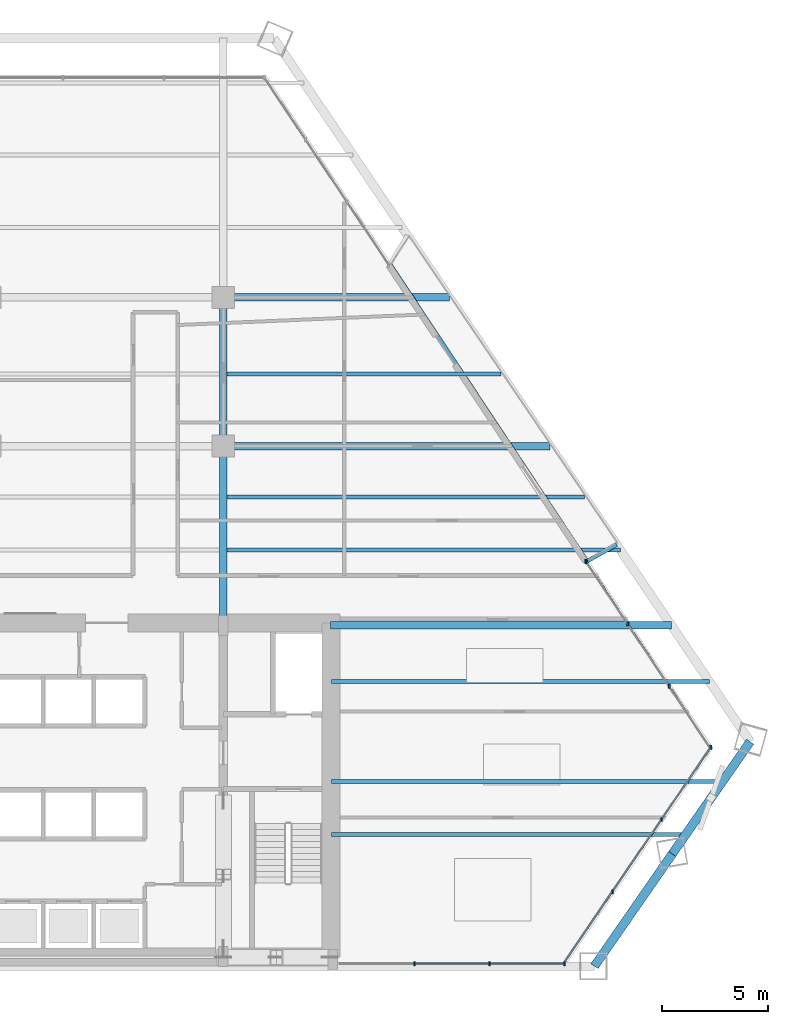
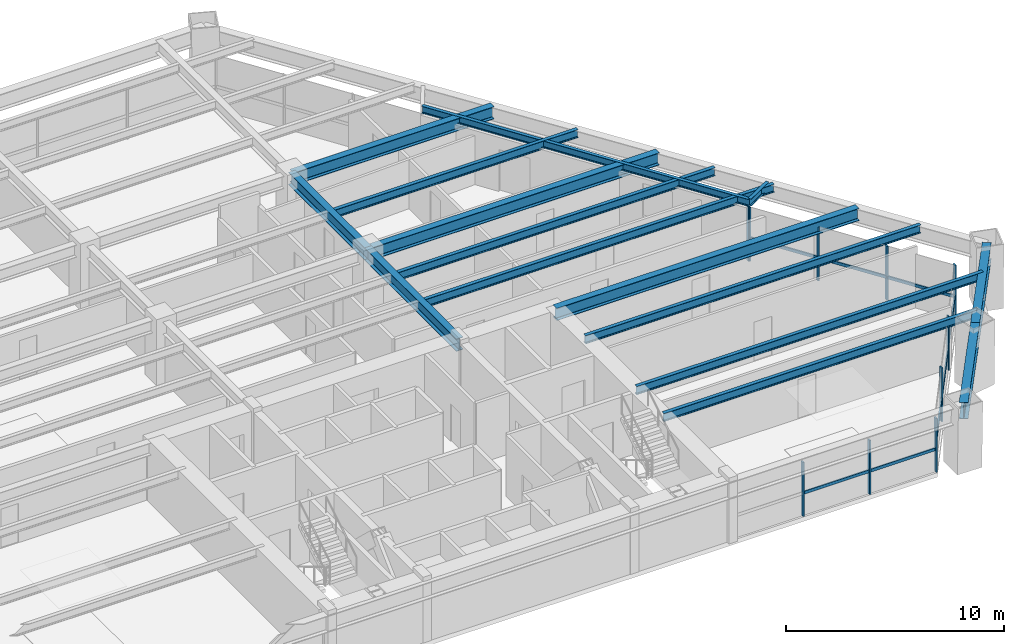
# One storey, part 6 of 15: 18 members, 15 beams, 3 elements without a shape of their own.
"""IFC4 building model written with IfcOpenShell, lengths in metres."""

from ifc_helpers import new_model, si_unit, direction, frame, origin, origin_2d, place, context, subcontext, project, spatial, rectangle, i_section, extrude, source, transform, mapped, material, material_profile, profile_set, type_object, type_shapes, element, aggregate, save


model = new_model("IFC4")

# Units and contexts
model_context = context("Model", 3, precision=1e-05, world=origin(), true_north=direction((0.0, 1.0)))
body_context = subcontext(model_context, "Body", "Model", "MODEL_VIEW")
ifc_project = project(units=[si_unit("LENGTHUNIT", "METRE"), si_unit("AREAUNIT", "SQUARE_METRE"), si_unit("VOLUMEUNIT", "CUBIC_METRE"), si_unit("PLANEANGLEUNIT", "RADIAN"), si_unit("MASSUNIT", "GRAM", prefix="KILO")], contexts=[model_context])

# Site, building, storey
site_placement = place(None, origin())
site = spatial("IfcSite", under=ifc_project, at=site_placement, CompositionType="ELEMENT")
building_placement = place(site_placement, origin())
building = spatial("IfcBuilding", under=site, at=building_placement, Name="Varnakhor Terracotta Tower", CompositionType="ELEMENT")
storey_placement = place(building_placement, frame((0.0, 0.0, 57.10009765625)))
storey = spatial("IfcBuildingStorey", under=building, at=storey_placement, Name="L13", CompositionType="ELEMENT", Elevation=57.10009765625)

# Beams
ifc_material_1 = material(Name="Steel S355", Category="steel")
ifc_material_profile_1 = material_profile(ifc_material_1, i_section(OverallWidth=0.35498046875, OverallDepth=0.695068359375, WebThickness=0.014892578125, FlangeThickness=0.02490234375, FilletRadius=0.01806640625, at=origin_2d()), Name="W27X146")
ifc_profile_set_1 = profile_set([ifc_material_profile_1], Name="Steel S355")
beam_type_1 = type_object("IfcBeamType", Name="BM-W27X146", PredefinedType="BEAM", material=ifc_profile_set_1)
shared_shape_1 = source(origin(), body_context, "Body", "SweptSolid", [
    extrude(i_section(OverallWidth=0.35498046875, OverallDepth=0.695068359375, WebThickness=0.014892578125, FlangeThickness=0.02490234375, FilletRadius=0.01806640625, at=origin_2d()), origin(), (0.0, 0.0, 1.0), 8.449951171875),
])
type_shapes(beam_type_1, [shared_shape_1])
beam_1_placement = place(storey_placement, frame((5.5, 16.050048828125, 3.102294921875), z_axis=(0.0, 1.0, 0.0), x_axis=(-1.0, 0.0, 0.0)))
element("IfcBeam", 1, at=beam_1_placement, inside=storey, type_object=beam_type_1, Name="L13 Primary Girder NS1-E", PredefinedType="BEAM", context=body_context, shape_type="MappedRepresentation", body=[
    mapped(shared_shape_1, transform((0.0, 0.0, 0.0), scale=1.0)),
])
shared_shape_2 = source(origin(), body_context, "Body", "SweptSolid", [
    extrude(i_section(OverallWidth=0.35498046875, OverallDepth=0.695068359375, WebThickness=0.014892578125, FlangeThickness=0.02490234375, FilletRadius=0.01806640625, at=origin_2d()), origin(), (0.0, 0.0, 1.0), 7.0),
])
beam_2_placement = place(storey_placement, frame((5.5, 24.5, 3.102294921875), z_axis=(0.0, 1.0, 0.0), x_axis=(-1.0, 0.0, 0.0)))
element("IfcBeam", 2, at=beam_2_placement, inside=storey, type_object=beam_type_1, Name="L13 Primary Girder NS2-E", PredefinedType="BEAM", context=body_context, shape_type="MappedRepresentation", body=[
    mapped(shared_shape_2, transform((0.0, 0.0, 0.0), scale=1.0)),
])
ifc_material_profile_2 = material_profile(ifc_material_1, i_section(OverallWidth=0.41796875, OverallDepth=0.927001953125, WebThickness=0.01904296875, FlangeThickness=0.031982421875, FilletRadius=0.01806640625, at=origin_2d()), Name="W36X231")
ifc_profile_set_2 = profile_set([ifc_material_profile_2], Name="Steel S355")
beam_type_2 = type_object("IfcBeamType", Name="BM-W36X231", PredefinedType="BEAM", material=ifc_profile_set_2)
shared_shape_3 = source(origin(), body_context, "Body", "SweptSolid", [
    extrude(i_section(OverallWidth=0.41796875, OverallDepth=0.927001953125, WebThickness=0.01904296875, FlangeThickness=0.031982421875, FilletRadius=0.01806640625, at=origin_2d()), origin(), (0.0, 0.0, 1.0), 6.43408203125),
])
for number, where, z_axis, x_axis, name in (
    (3, (22.976318359375, 0.0, 2.986328125), (0.56988656186, 0.821723375967, 0.0), (-0.821723375967, 0.56988656186, 0.0), "L13 Perimeter Spandrel 2"),
    (4, (26.64306640625, 5.287109375, 2.986328125), (0.569904331219, 0.82171105217, 0.0), (-0.82171105217, 0.569904331219, 0.0), "L13 Perimeter Spandrel 3"),
):
    element("IfcBeam", number, at=place(storey_placement, frame(where, z_axis=z_axis, x_axis=x_axis)), inside=storey, type_object=beam_type_2, Name=name, PredefinedType="BEAM", context=body_context, shape_type="MappedRepresentation", body=[
        mapped(shared_shape_3, transform((0.0, 0.0, 0.0), scale=1.0)),
    ])
ifc_material_profile_3 = material_profile(ifc_material_1, i_section(OverallWidth=0.179931640625, OverallDepth=0.39990234375, WebThickness=0.008544921875, FlangeThickness=0.013427734375, FilletRadius=0.01806640625, at=origin_2d()), Name="IPE400")
ifc_profile_set_3 = profile_set([ifc_material_profile_3], Name="Steel S355")
beam_type_3 = type_object("IfcBeamType", Name="JST-IPE400", PredefinedType="JOIST", material=ifc_profile_set_3)
shared_shape_4 = source(origin(), body_context, "Body", "SweptSolid", [
    extrude(i_section(OverallWidth=0.179931640625, OverallDepth=0.39990234375, WebThickness=0.008544921875, FlangeThickness=0.013427734375, FilletRadius=0.01806640625, at=origin_2d()), origin(), (0.0, 0.0, 1.0), 16.805419921875),
])
beam_3_placement = place(storey_placement, frame((22.62646484375, 19.072021484375, 3.25), z_axis=(-0.552505751784, 0.833509084681, 0.0), x_axis=(-0.833509084681, -0.552505751784, 0.0)))
element("IfcBeam", 5, at=beam_3_placement, inside=storey, type_object=beam_type_3, Name="L13 Loggia Edge Beam 1", PredefinedType="JOIST", context=body_context, shape_type="MappedRepresentation", body=[
    mapped(shared_shape_4, transform((0.0, 0.0, 0.0), scale=1.0)),
])
shared_shape_5 = source(origin(), body_context, "Body", "SweptSolid", [
    extrude(i_section(OverallWidth=0.35498046875, OverallDepth=0.695068359375, WebThickness=0.014892578125, FlangeThickness=0.02490234375, FilletRadius=0.01806640625, at=origin_2d()), origin(), (0.0, 0.0, 1.0), 16.05224609375),
])
beam_4_placement = place(storey_placement, frame((10.550048828125, 16.050048828125, 3.102294921875), z_axis=(1.0, 0.0, 0.0), x_axis=(0.0, 1.0, 0.0)))
element("IfcBeam", 6, at=beam_4_placement, inside=storey, type_object=beam_type_1, Name="L13 Wing Girder E", PredefinedType="BEAM", context=body_context, shape_type="MappedRepresentation", body=[
    mapped(shared_shape_5, transform((0.0, 0.0, 0.0), scale=1.0)),
])
shared_shape_6 = source(origin(), body_context, "Body", "SweptSolid", [
    extrude(i_section(OverallWidth=0.35498046875, OverallDepth=0.695068359375, WebThickness=0.014892578125, FlangeThickness=0.02490234375, FilletRadius=0.01806640625, at=origin_2d()), origin(), (0.0, 0.0, 1.0), 15.381103515625),
])
beam_5_placement = place(storey_placement, frame((5.5, 24.5, 3.102294921875), z_axis=(1.0, 0.0, 0.0), x_axis=(0.0, 1.0, 0.0)))
element("IfcBeam", 7, at=beam_5_placement, inside=storey, type_object=beam_type_1, Name="L13 Primary Girder EW2-3", PredefinedType="BEAM", context=body_context, shape_type="MappedRepresentation", body=[
    mapped(shared_shape_6, transform((0.0, 0.0, 0.0), scale=1.0)),
])
shared_shape_7 = source(origin(), body_context, "Body", "SweptSolid", [
    extrude(i_section(OverallWidth=0.35498046875, OverallDepth=0.695068359375, WebThickness=0.014892578125, FlangeThickness=0.02490234375, FilletRadius=0.01806640625, at=origin_2d()), origin(), (0.0, 0.0, 1.0), 10.64208984375),
])
beam_6_placement = place(storey_placement, frame((5.5, 31.5, 3.102294921875), z_axis=(1.0, 0.0, 0.0), x_axis=(0.0, 1.0, 0.0)))
element("IfcBeam", 8, at=beam_6_placement, inside=storey, type_object=beam_type_1, Name="L13 Primary Girder EW3-3", PredefinedType="BEAM", context=body_context, shape_type="MappedRepresentation", body=[
    mapped(shared_shape_7, transform((0.0, 0.0, 0.0), scale=1.0)),
])
ifc_material_profile_4 = material_profile(ifc_material_1, i_section(OverallWidth=0.19189453125, OverallDepth=0.462890625, WebThickness=0.010498046875, FlangeThickness=0.017578125, FilletRadius=0.01806640625, at=origin_2d()), Name="W18X60")
ifc_profile_set_4 = profile_set([ifc_material_profile_4], Name="Steel S355")
beam_type_4 = type_object("IfcBeamType", Name="JST-W18X60", PredefinedType="JOIST", material=ifc_profile_set_4)
shared_shape_8 = source(origin(), body_context, "Body", "SweptSolid", [
    extrude(i_section(OverallWidth=0.19189453125, OverallDepth=0.462890625, WebThickness=0.010498046875, FlangeThickness=0.017578125, FilletRadius=0.01806640625, at=origin_2d()), origin(), (0.0, 0.0, 1.0), 16.67626953125),
])
beam_7_placement = place(storey_placement, frame((10.60009765625, 6.199951171875, 3.218505859375), z_axis=(1.0, 0.0, 0.0), x_axis=(0.0, 1.0, 0.0)))
element("IfcBeam", 9, at=beam_7_placement, inside=storey, type_object=beam_type_4, Name="L13 Floor Joist E1", PredefinedType="JOIST", context=body_context, shape_type="MappedRepresentation", body=[
    mapped(shared_shape_8, transform((0.0, 0.0, 0.0), scale=1.0)),
])
shared_shape_9 = source(origin(), body_context, "Body", "SweptSolid", [
    extrude(i_section(OverallWidth=0.19189453125, OverallDepth=0.462890625, WebThickness=0.010498046875, FlangeThickness=0.017578125, FilletRadius=0.01806640625, at=origin_2d()), origin(), (0.0, 0.0, 1.0), 18.409912109375),
])
beam_8_placement = place(storey_placement, frame((10.60009765625, 8.699951171875, 3.218505859375), z_axis=(1.0, 0.0, 0.0), x_axis=(0.0, 1.0, 0.0)))
element("IfcBeam", 10, at=beam_8_placement, inside=storey, type_object=beam_type_4, Name="L13 Floor Joist E2", PredefinedType="JOIST", context=body_context, shape_type="MappedRepresentation", body=[
    mapped(shared_shape_9, transform((0.0, 0.0, 0.0), scale=1.0)),
])
shared_shape_10 = source(origin(), body_context, "Body", "SweptSolid", [
    extrude(i_section(OverallWidth=0.19189453125, OverallDepth=0.462890625, WebThickness=0.010498046875, FlangeThickness=0.017578125, FilletRadius=0.01806640625, at=origin_2d()), origin(), (0.0, 0.0, 1.0), 17.796142578125),
])
beam_9_placement = place(storey_placement, frame((10.60009765625, 13.39990234375, 3.218505859375), z_axis=(1.0, 0.0, 0.0), x_axis=(0.0, 1.0, 0.0)))
element("IfcBeam", 11, at=beam_9_placement, inside=storey, type_object=beam_type_4, Name="L13 Floor Joist E3", PredefinedType="JOIST", context=body_context, shape_type="MappedRepresentation", body=[
    mapped(shared_shape_10, transform((0.0, 0.0, 0.0), scale=1.0)),
])
shared_shape_11 = source(origin(), body_context, "Body", "SweptSolid", [
    extrude(i_section(OverallWidth=0.19189453125, OverallDepth=0.462890625, WebThickness=0.010498046875, FlangeThickness=0.017578125, FilletRadius=0.01806640625, at=origin_2d()), origin(), (0.0, 0.0, 1.0), 18.525146484375),
])
beam_10_placement = place(storey_placement, frame((5.673583984375, 19.60009765625, 3.218505859375), z_axis=(1.0, 0.0, 0.0), x_axis=(0.0, 1.0, 0.0)))
element("IfcBeam", 12, at=beam_10_placement, inside=storey, type_object=beam_type_4, Name="L13 Composite Floor Joist 4-3", PredefinedType="JOIST", context=body_context, shape_type="MappedRepresentation", body=[
    mapped(shared_shape_11, transform((0.0, 0.0, 0.0), scale=1.0)),
])
shared_shape_12 = source(origin(), body_context, "Body", "SweptSolid", [
    extrude(i_section(OverallWidth=0.19189453125, OverallDepth=0.462890625, WebThickness=0.010498046875, FlangeThickness=0.017578125, FilletRadius=0.01806640625, at=origin_2d()), origin(), (0.0, 0.0, 1.0), 16.83251953125),
])
beam_11_placement = place(storey_placement, frame((5.673583984375, 22.10009765625, 3.218505859375), z_axis=(1.0, 0.0, 0.0), x_axis=(0.0, 1.0, 0.0)))
element("IfcBeam", 13, at=beam_11_placement, inside=storey, type_object=beam_type_4, Name="L13 Composite Floor Joist 5-3", PredefinedType="JOIST", context=body_context, shape_type="MappedRepresentation", body=[
    mapped(shared_shape_12, transform((0.0, 0.0, 0.0), scale=1.0)),
])
shared_shape_13 = source(origin(), body_context, "Body", "SweptSolid", [
    extrude(i_section(OverallWidth=0.19189453125, OverallDepth=0.462890625, WebThickness=0.010498046875, FlangeThickness=0.017578125, FilletRadius=0.01806640625, at=origin_2d()), origin(), (0.0, 0.0, 1.0), 12.90576171875),
])
beam_12_placement = place(storey_placement, frame((5.673583984375, 27.89990234375, 3.218505859375), z_axis=(1.0, 0.0, 0.0), x_axis=(0.0, 1.0, 0.0)))
element("IfcBeam", 14, at=beam_12_placement, inside=storey, type_object=beam_type_4, Name="L13 Composite Floor Joist 6-3", PredefinedType="JOIST", context=body_context, shape_type="MappedRepresentation", body=[
    mapped(shared_shape_13, transform((0.0, 0.0, 0.0), scale=1.0)),
])

# Curtain wall, members
ifc_material_2 = material(Name="Anodised Aluminium Curtain Wall System", Category="aluminium")
curtain_wall_type = type_object("IfcCurtainWallType", Name="CW-SYS-LOW-OFFICE", PredefinedType="NOTDEFINED", material=ifc_material_2)
curtain_wall_1_placement = place(storey_placement, origin())
curtain_wall_1 = element("IfcCurtainWall", 15, at=curtain_wall_1_placement, inside=storey, type_object=curtain_wall_type, Name="L13 E Facet Curtain Wall 2", PredefinedType="NOTDEFINED")
ifc_material_3 = material(Name="Anodised Aluminium 6063-T6", Category="aluminium")
ifc_material_profile_5 = material_profile(ifc_material_3, rectangle(XDim=0.074951171875, YDim=0.18505859375, at=origin_2d()), Name="ALU MULLION 75x185")
ifc_profile_set_5 = profile_set([ifc_material_profile_5], Name="Anodised Aluminium 6063-T6")
member_type_1 = type_object("IfcMemberType", Name="CWM-02", PredefinedType="MULLION", material=ifc_profile_set_5)
shared_shape_14 = source(origin(), body_context, "Body", "SweptSolid", [
    extrude(rectangle(XDim=0.074951171875, YDim=0.18505859375, at=origin_2d()), origin(), (0.0, 0.0, 1.0), 3.02978515625),
])
member_1_placement = place(storey_placement, frame((22.58984375, 19.057861328125, 0.0), z_axis=(0.0, 0.0, 1.0), x_axis=(1.0, 0.0, 0.0)))
member_1 = element("IfcMember", 16, at=member_1_placement, type_object=member_type_1, Name="L13 E Facet Curtain Wall 2 Mullion 1", PredefinedType="MULLION", context=body_context, shape_type="MappedRepresentation", body=[
    mapped(shared_shape_14, transform((0.0, 0.0, 0.0), scale=1.0)),
])
member_2_placement = place(storey_placement, frame((24.54541015625, 16.116943359375, 0.0), z_axis=(0.0, 0.0, 1.0), x_axis=(1.0, 0.0, 0.0)))
member_2 = element("IfcMember", 17, at=member_2_placement, type_object=member_type_1, Name="L13 E Facet Curtain Wall 2 Mullion 2", PredefinedType="MULLION", context=body_context, shape_type="MappedRepresentation", body=[
    mapped(shared_shape_14, transform((0.0, 0.0, 0.0), scale=1.0)),
])
member_3_placement = place(storey_placement, frame((26.5009765625, 13.17578125, 0.0), z_axis=(0.0, 0.0, 1.0), x_axis=(1.0, 0.0, 0.0)))
member_3 = element("IfcMember", 18, at=member_3_placement, type_object=member_type_1, Name="L13 E Facet Curtain Wall 2 Mullion 3", PredefinedType="MULLION", context=body_context, shape_type="MappedRepresentation", body=[
    mapped(shared_shape_14, transform((0.0, 0.0, 0.0), scale=1.0)),
])
member_4_placement = place(storey_placement, frame((22.556640625, 19.07177734375, 0.0), z_axis=(0.0, 0.0, 1.0), x_axis=(1.0, 0.0, 0.0)))
member_4 = element("IfcMember", 19, at=member_4_placement, type_object=member_type_1, Name="L13 E Loggia Jamb Closure Mullion 2", PredefinedType="MULLION", context=body_context, shape_type="MappedRepresentation", body=[
    mapped(shared_shape_14, transform((0.0, 0.0, 0.0), scale=1.0)),
])

curtain_wall_2_placement = place(storey_placement, origin())
curtain_wall_2 = element("IfcCurtainWall", 20, at=curtain_wall_2_placement, inside=storey, type_object=curtain_wall_type, Name="L13 Facet Curtain Wall 4", PredefinedType="NOTDEFINED")
member_5_placement = place(storey_placement, frame((28.456787109375, 10.31884765625, 0.0), z_axis=(0.0, 0.0, 1.0), x_axis=(1.0, 0.0, 0.0)))
member_5 = element("IfcMember", 21, at=member_5_placement, type_object=member_type_1, Name="L13 Facet Curtain Wall 4 Mullion 1", PredefinedType="MULLION", context=body_context, shape_type="MappedRepresentation", body=[
    mapped(shared_shape_14, transform((0.0, 0.0, 0.0), scale=1.0)),
])
member_6_placement = place(storey_placement, frame((26.13720703125, 6.909912109375, 0.0), z_axis=(0.0, 0.0, 1.0), x_axis=(1.0, 0.0, 0.0)))
member_6 = element("IfcMember", 22, at=member_6_placement, type_object=member_type_1, Name="L13 Facet Curtain Wall 4 Mullion 2", PredefinedType="MULLION", context=body_context, shape_type="MappedRepresentation", body=[
    mapped(shared_shape_14, transform((0.0, 0.0, 0.0), scale=1.0)),
])
member_7_placement = place(storey_placement, frame((23.81787109375, 3.501220703125, 0.0), z_axis=(0.0, 0.0, 1.0), x_axis=(1.0, 0.0, 0.0)))
member_7 = element("IfcMember", 23, at=member_7_placement, type_object=member_type_1, Name="L13 Facet Curtain Wall 4 Mullion 3", PredefinedType="MULLION", context=body_context, shape_type="MappedRepresentation", body=[
    mapped(shared_shape_14, transform((0.0, 0.0, 0.0), scale=1.0)),
])

curtain_wall_3_placement = place(storey_placement, origin())
curtain_wall_3 = element("IfcCurtainWall", 24, at=curtain_wall_3_placement, inside=storey, type_object=curtain_wall_type, Name="L13 South Wing Curtain Wall SSE", PredefinedType="NOTDEFINED")
member_8_placement = place(storey_placement, frame((21.570556640625, 0.1201171875, 0.0), z_axis=(0.0, 0.0, 1.0), x_axis=(1.0, 0.0, 0.0)))
member_8 = element("IfcMember", 25, at=member_8_placement, type_object=member_type_1, Name="L13 South Wing Curtain Wall SSE Mullion 1", PredefinedType="MULLION", context=body_context, shape_type="MappedRepresentation", body=[
    mapped(shared_shape_14, transform((0.0, 0.0, 0.0), scale=1.0)),
])
member_9_placement = place(storey_placement, frame((18.037109375, 0.1201171875, 0.0), z_axis=(0.0, 0.0, 1.0), x_axis=(1.0, 0.0, 0.0)))
member_9 = element("IfcMember", 26, at=member_9_placement, type_object=member_type_1, Name="L13 South Wing Curtain Wall SSE Mullion 2", PredefinedType="MULLION", context=body_context, shape_type="MappedRepresentation", body=[
    mapped(shared_shape_14, transform((0.0, 0.0, 0.0), scale=1.0)),
])
member_10_placement = place(storey_placement, frame((14.50341796875, 0.1201171875, 0.0), z_axis=(0.0, 0.0, 1.0), x_axis=(1.0, 0.0, 0.0)))
member_10 = element("IfcMember", 27, at=member_10_placement, type_object=member_type_1, Name="L13 South Wing Curtain Wall SSE Mullion 3", PredefinedType="MULLION", context=body_context, shape_type="MappedRepresentation", body=[
    mapped(shared_shape_14, transform((0.0, 0.0, 0.0), scale=1.0)),
])

# Member
ifc_material_profile_6 = material_profile(ifc_material_3, rectangle(XDim=0.074951171875, YDim=0.1650390625, at=origin_2d()), Name="ALU TRANSOM 75x165")
ifc_profile_set_6 = profile_set([ifc_material_profile_6], Name="Anodised Aluminium 6063-T6")
member_type_2 = type_object("IfcMemberType", Name="CWT-02", PredefinedType="USERDEFINED", material=ifc_profile_set_6)
shared_shape_15 = source(origin(), body_context, "Body", "SweptSolid", [
    extrude(rectangle(XDim=0.074951171875, YDim=0.1650390625, at=origin_2d()), origin(), (0.0, 0.0, 1.0), 3.53173828125),
])
member_11_placement = place(storey_placement, frame((22.58984375, 19.057861328125, 1.2724609375), z_axis=(0.553710750268, -0.832709075871, 0.0), x_axis=(0.832709075871, 0.553710750268, 0.0)))
member_11 = element("IfcMember", 28, at=member_11_placement, type_object=member_type_2, Name="L13 E Facet Curtain Wall 2 Transom 1", ObjectType="TRANSOM", PredefinedType="USERDEFINED", context=body_context, shape_type="MappedRepresentation", body=[
    mapped(shared_shape_15, transform((0.0, 0.0, 0.0), scale=1.0)),
])

member_12_placement = place(storey_placement, frame((26.5009765625, 13.17578125, 1.2724609375), z_axis=(0.553630942722, -0.832762138465, 0.0), x_axis=(0.832762138465, 0.553630942722, 0.0)))
member_12 = element("IfcMember", 29, at=member_12_placement, type_object=member_type_2, Name="L13 E Facet Curtain Wall 2 Transom 3", ObjectType="TRANSOM", PredefinedType="USERDEFINED", context=body_context, shape_type="MappedRepresentation", body=[
    mapped(shared_shape_15, transform((0.0, 0.0, 0.0), scale=1.0)),
])

shared_shape_16 = source(origin(), body_context, "Body", "SweptSolid", [
    extrude(rectangle(XDim=0.074951171875, YDim=0.1650390625, at=origin_2d()), origin(), (0.0, 0.0, 1.0), 3.531982421875),
])
member_13_placement = place(storey_placement, frame((24.54541015625, 16.116943359375, 1.2724609375), z_axis=(0.553678878422, -0.832730268208, 0.0), x_axis=(0.832730268208, 0.553678878422, 0.0)))
member_13 = element("IfcMember", 30, at=member_13_placement, type_object=member_type_2, Name="L13 E Facet Curtain Wall 2 Transom 2", ObjectType="TRANSOM", PredefinedType="USERDEFINED", context=body_context, shape_type="MappedRepresentation", body=[
    mapped(shared_shape_16, transform((0.0, 0.0, 0.0), scale=1.0)),
])

aggregate(curtain_wall_1, [member_1, member_11, member_2, member_13, member_3, member_12, member_4])

shared_shape_17 = source(origin(), body_context, "Body", "SweptSolid", [
    extrude(rectangle(XDim=0.074951171875, YDim=0.1650390625, at=origin_2d()), origin(), (0.0, 0.0, 1.0), 4.123291015625),
])
member_14_placement = place(storey_placement, frame((28.456787109375, 10.31884765625, 1.2724609375), z_axis=(-0.562559405684, -0.826756865757, 0.0), x_axis=(0.826756865757, -0.562559405684, 0.0)))
member_14 = element("IfcMember", 31, at=member_14_placement, type_object=member_type_2, Name="L13 Facet Curtain Wall 4 Transom 1", ObjectType="TRANSOM", PredefinedType="USERDEFINED", context=body_context, shape_type="MappedRepresentation", body=[
    mapped(shared_shape_17, transform((0.0, 0.0, 0.0), scale=1.0)),
])

member_15_placement = place(storey_placement, frame((23.81787109375, 3.501220703125, 1.2724609375), z_axis=(-0.562559405684, -0.826756865757, 0.0), x_axis=(0.826756865757, -0.562559405684, 0.0)))
member_15 = element("IfcMember", 32, at=member_15_placement, type_object=member_type_2, Name="L13 Facet Curtain Wall 4 Transom 3", ObjectType="TRANSOM", PredefinedType="USERDEFINED", context=body_context, shape_type="MappedRepresentation", body=[
    mapped(shared_shape_17, transform((0.0, 0.0, 0.0), scale=1.0)),
])

shared_shape_18 = source(origin(), body_context, "Body", "SweptSolid", [
    extrude(rectangle(XDim=0.074951171875, YDim=0.1650390625, at=origin_2d()), origin(), (0.0, 0.0, 1.0), 4.122802734375),
])
member_16_placement = place(storey_placement, frame((26.13720703125, 6.909912109375, 1.2724609375), z_axis=(-0.562546471365, -0.826765666652, 0.0), x_axis=(0.826765666652, -0.562546471365, 0.0)))
member_16 = element("IfcMember", 33, at=member_16_placement, type_object=member_type_2, Name="L13 Facet Curtain Wall 4 Transom 2", ObjectType="TRANSOM", PredefinedType="USERDEFINED", context=body_context, shape_type="MappedRepresentation", body=[
    mapped(shared_shape_18, transform((0.0, 0.0, 0.0), scale=1.0)),
])

aggregate(curtain_wall_2, [member_5, member_14, member_6, member_16, member_7, member_15])

shared_shape_19 = source(origin(), body_context, "Body", "SweptSolid", [
    extrude(rectangle(XDim=0.074951171875, YDim=0.1650390625, at=origin_2d()), origin(), (0.0, 0.0, 1.0), 3.533447265625),
])
member_17_placement = place(storey_placement, frame((21.570556640625, 0.1201171875, 1.2724609375), z_axis=(-1.0, 0.0, 0.0), x_axis=(0.0, -1.0, 0.0)))
member_17 = element("IfcMember", 34, at=member_17_placement, type_object=member_type_2, Name="L13 South Wing Curtain Wall SSE Transom 1", ObjectType="TRANSOM", PredefinedType="USERDEFINED", context=body_context, shape_type="MappedRepresentation", body=[
    mapped(shared_shape_19, transform((0.0, 0.0, 0.0), scale=1.0)),
])

shared_shape_20 = source(origin(), body_context, "Body", "SweptSolid", [
    extrude(rectangle(XDim=0.074951171875, YDim=0.1650390625, at=origin_2d()), origin(), (0.0, 0.0, 1.0), 3.53369140625),
])
member_18_placement = place(storey_placement, frame((18.037109375, 0.1201171875, 1.2724609375), z_axis=(-1.0, 0.0, 0.0), x_axis=(0.0, -1.0, 0.0)))
member_18 = element("IfcMember", 35, at=member_18_placement, type_object=member_type_2, Name="L13 South Wing Curtain Wall SSE Transom 2", ObjectType="TRANSOM", PredefinedType="USERDEFINED", context=body_context, shape_type="MappedRepresentation", body=[
    mapped(shared_shape_20, transform((0.0, 0.0, 0.0), scale=1.0)),
])

aggregate(curtain_wall_3, [member_8, member_17, member_9, member_18, member_10])

# Beam
shared_shape_21 = source(origin(), body_context, "Body", "SweptSolid", [
    extrude(i_section(OverallWidth=0.179931640625, OverallDepth=0.39990234375, WebThickness=0.008544921875, FlangeThickness=0.013427734375, FilletRadius=0.01806640625, at=origin_2d()), origin(), (0.0, 0.0, 1.0), 1.60400390625),
])
beam_13_placement = place(storey_placement, frame((22.62646484375, 19.072021484375, 3.25), z_axis=(0.873531918588, 0.486766871518, 0.0), x_axis=(-0.486766871518, 0.873531918588, 0.0)))
element("IfcBeam", 36, at=beam_13_placement, inside=storey, type_object=beam_type_3, Name="L14 E Loggia Tie Beam 2", PredefinedType="JOIST", context=body_context, shape_type="MappedRepresentation", body=[
    mapped(shared_shape_21, transform((0.0, 0.0, 0.0), scale=1.0)),
])

save(model, "model.ifc")
